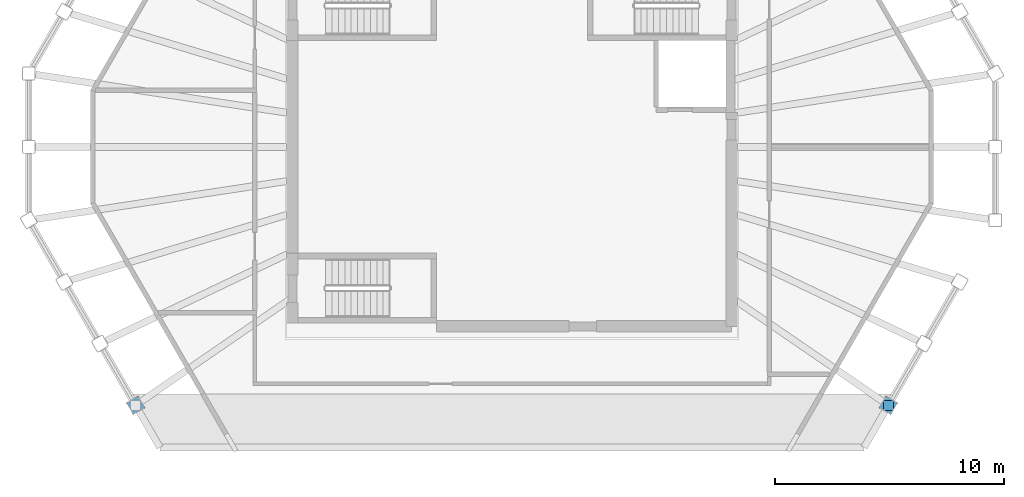
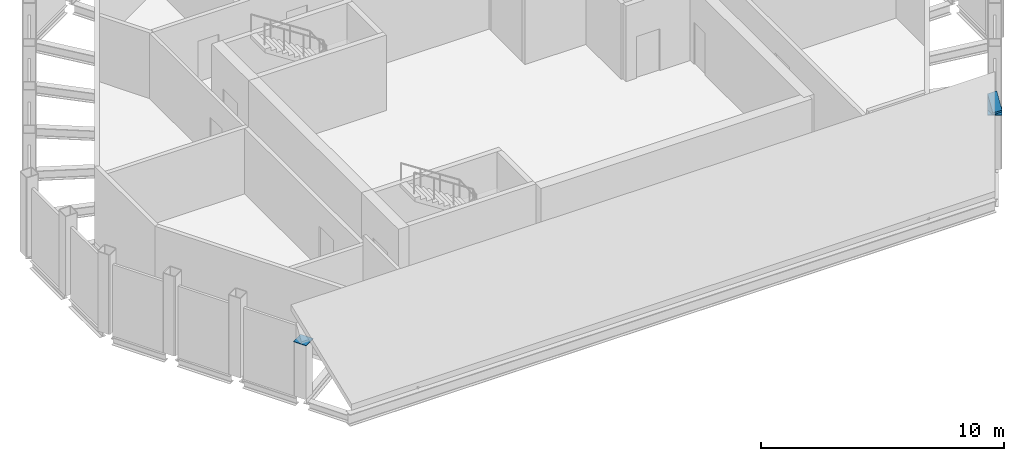
# One storey, part 4 of 5: 3 discrete accessories.
"""IFC4 building model written with IfcOpenShell, lengths in metres."""

from ifc_helpers import new_model, si_unit, direction, frame, origin, origin_2d, place, context, subcontext, project, spatial, polyline, rectangle, outline, extrude, element, save


model = new_model("IFC4")

# Units and contexts
model_context = context("Model", 3, precision=1e-05, world=origin(), true_north=direction((0.0, 1.0)))
body_context = subcontext(model_context, "Body", "Model", "MODEL_VIEW")
ifc_project = project(units=[si_unit("LENGTHUNIT", "METRE"), si_unit("AREAUNIT", "SQUARE_METRE"), si_unit("VOLUMEUNIT", "CUBIC_METRE"), si_unit("PLANEANGLEUNIT", "RADIAN"), si_unit("MASSUNIT", "GRAM", prefix="KILO")], contexts=[model_context])

# Site, building, storey
site_placement = place(None, origin())
site = spatial("IfcSite", under=ifc_project, at=site_placement, CompositionType="ELEMENT")
building_placement = place(site_placement, origin())
building = spatial("IfcBuilding", under=site, at=building_placement, Name="Frailejon Research Tower", CompositionType="ELEMENT")
storey_placement = place(building_placement, frame((0.0, 0.0, 352.60009765625)))
storey = spatial("IfcBuildingStorey", under=building, at=storey_placement, Name="L79", CompositionType="ELEMENT", Elevation=352.60009765625)

# Discrete accessories
discrete_accessory_placement = place(storey_placement, frame((16.235595703125, -11.298828125, 2.7099609375), z_axis=(1.0, 0.0, 0.0), x_axis=(0.0, 1.0, 0.0)))
element("IfcDiscreteAccessory", 1, at=discrete_accessory_placement, inside=storey, Name="Crown column bearing wedge", PredefinedType="ANCHORPLATE", context=body_context, shape_type="SweptSolid", body=[
    extrude(outline(polyline([(-0.219482421875, 0.0), (0.219482421875, 0.0), (0.219482421875, 0.83154296875), (-0.219482421875, 0.128662109375), (-0.219482421875, 0.0)])), origin(), (0.0, 0.0, 1.0), 0.439208984375),
])
for number, where, z_axis, x_axis, name in (
    (2, (-16.455078125, -11.298828125, 2.7099609375), (0.0, 0.0, 1.0), (0.5, -0.866025403784, 0.0), "Crown column end plate"),
    (3, (16.455078125, -11.298828125, 2.7099609375), (0.0, 0.0, 1.0), (0.5, 0.866025403784, 0.0), "Crown column end plate"),
):
    element("IfcDiscreteAccessory", number, at=place(storey_placement, frame(where, z_axis=z_axis, x_axis=x_axis)), inside=storey, Name=name, PredefinedType="ANCHORPLATE", context=body_context, shape_type="SweptSolid", body=[
        extrude(rectangle(XDim=0.60009765625, YDim=0.60009765625, at=origin_2d()), origin(), (0.0, 0.0, 1.0), 0.030029296875),
    ])

save(model, "model.ifc")
